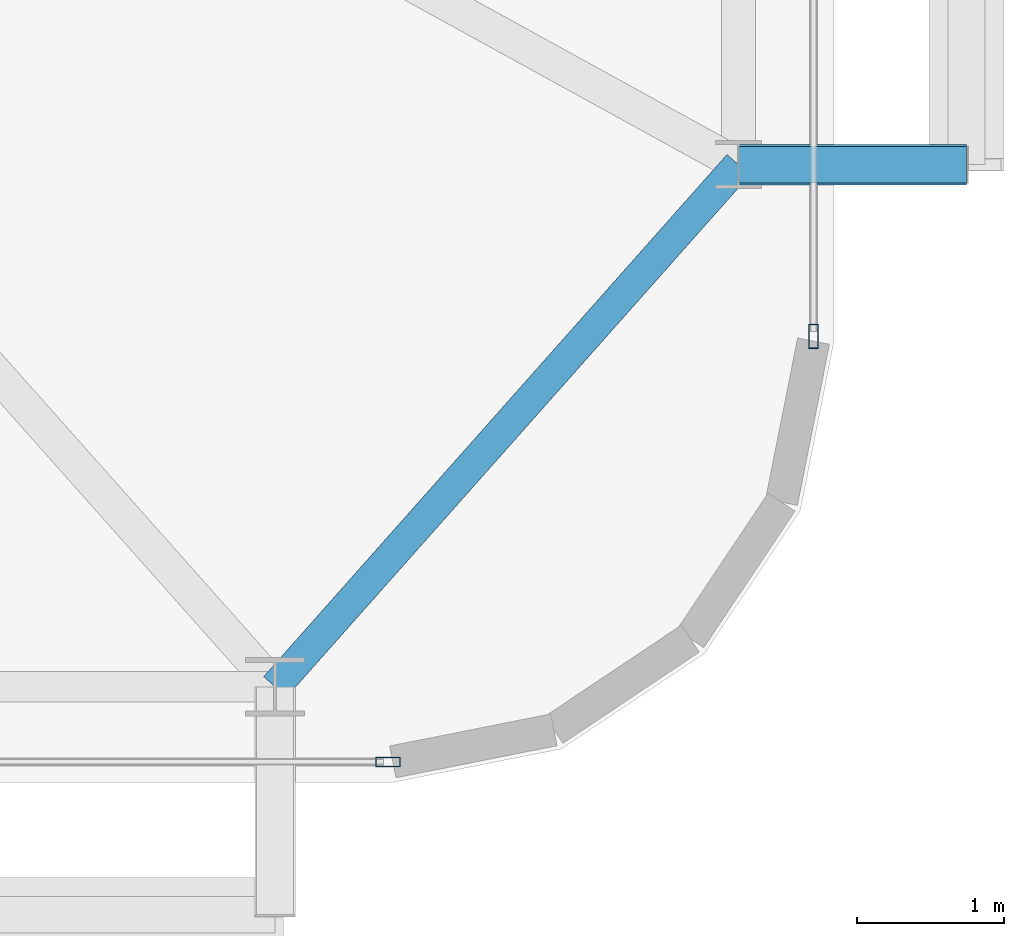
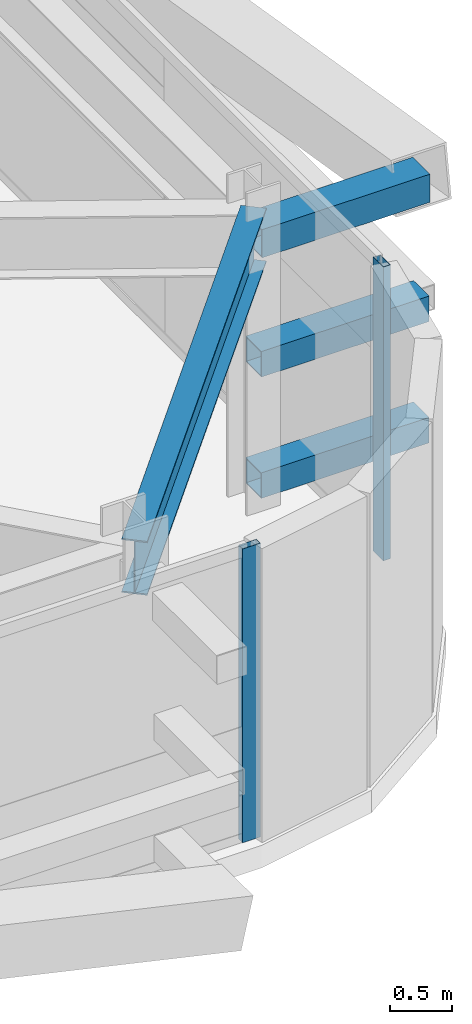
# One storey, part 15 of 45: 5 members, 1 beam, 2 elements without a shape of their own.
"""IFC4 building model written with IfcOpenShell, lengths in metres."""

from ifc_helpers import new_model, si_unit, direction, frame, origin, origin_2d, place, context, subcontext, project, spatial, hollow_rectangle, i_section, extrude, source, transform, mapped, material, layer, layer_set, material_profile, profile_set, type_object, element, aggregate, save


model = new_model("IFC4")

# Units and contexts
model_context = context("Model", 3, precision=1e-05, world=origin(), true_north=direction((0.0, 1.0)))
body_context = subcontext(model_context, "Body", "Model", "MODEL_VIEW")
ifc_project = project(units=[si_unit("LENGTHUNIT", "METRE"), si_unit("AREAUNIT", "SQUARE_METRE"), si_unit("VOLUMEUNIT", "CUBIC_METRE"), si_unit("PLANEANGLEUNIT", "RADIAN"), si_unit("MASSUNIT", "GRAM", prefix="KILO")], contexts=[model_context])

# Site, building, storey
site_placement = place(None, origin())
site = spatial("IfcSite", under=ifc_project, at=site_placement, CompositionType="ELEMENT")
building_placement = place(site_placement, origin())
building = spatial("IfcBuilding", under=site, at=building_placement, Name="Taldren Reach Tower", CompositionType="ELEMENT")
storey_placement = place(building_placement, frame((0.0, 0.0, 57.75)))
storey = spatial("IfcBuildingStorey", under=building, at=storey_placement, Name="L17", CompositionType="ELEMENT", Elevation=57.75)

# Beam
ifc_material_1 = material(Name="Steel Gr 350 (350PLUS)", Category="steel")
ifc_material_profile_1 = material_profile(ifc_material_1, i_section(OverallWidth=0.208984375, OverallDepth=0.528076171875, WebThickness=0.009521484375, FlangeThickness=0.01318359375, at=origin_2d()), Name="530UB82.0")
ifc_profile_set_1 = profile_set([ifc_material_profile_1], Name="Steel Gr 350 (350PLUS)")
beam_type = type_object("IfcBeamType", Name="SP-UB530B", PredefinedType="SPANDREL", material=ifc_profile_set_1)
shared_shape_1 = source(origin(), body_context, "Body", "SweptSolid", [
    extrude(i_section(OverallWidth=0.208984375, OverallDepth=0.528076171875, WebThickness=0.009521484375, FlangeThickness=0.01318359375, at=origin_2d()), origin(), (0.0, 0.0, 1.0), 4.74609375),
])
beam_placement = place(storey_placement, frame((61.199951171875, 2.14990234375, 2.60595703125), z_axis=(0.663721843779, 0.747979487747, 0.0), x_axis=(-0.747979487747, 0.663721843779, 0.0)))
element("IfcBeam", 1, at=beam_placement, inside=storey, type_object=beam_type, Name="Perimeter spandrel B1 S6-E1 L17", PredefinedType="SPANDREL", context=body_context, shape_type="MappedRepresentation", body=[
    mapped(shared_shape_1, transform((0.0, 0.0, 0.0), scale=1.0)),
])

# Members
ifc_material_2 = material(Name="Steel Gr 450 (C450L0)", Category="steel")
ifc_material_profile_2 = material_profile(ifc_material_2, hollow_rectangle(XDim=0.27490234375, YDim=0.27490234375, WallThickness=0.00927734375, at=origin_2d()), Name="275x275x9.3SHS")
ifc_profile_set_2 = profile_set([ifc_material_profile_2], Name="Steel Gr 450 (C450L0)")
member_type_1 = type_object("IfcMemberType", Name="MB-TIE273", PredefinedType="STRUT", material=ifc_profile_set_2)
shared_shape_2 = source(origin(), body_context, "Body", "SweptSolid", [
    extrude(hollow_rectangle(XDim=0.27490234375, YDim=0.27490234375, WallThickness=0.00927734375, at=origin_2d()), origin(), (0.0, 0.0, 1.0), 1.5498046875),
])
member_1_placement = place(storey_placement, frame((64.35009765625, 5.699951171875, 2.590087890625), z_axis=(1.0, 0.0, 0.0), x_axis=(0.0, 1.0, 0.0)))
element("IfcMember", 2, at=member_1_placement, inside=storey, type_object=member_type_1, Name="Exoskeleton diaphragm tie strut B1-E1 L17", PredefinedType="STRUT", context=body_context, shape_type="MappedRepresentation", body=[
    mapped(shared_shape_2, transform((0.0, 0.0, 0.0), scale=1.0)),
])
ifc_material_3 = material(Name="Steel Gr 350 (C350L0)", Category="steel")
ifc_material_profile_3 = material_profile(ifc_material_3, hollow_rectangle(XDim=0.25, YDim=0.25, WallThickness=0.010009765625, at=origin_2d()), Name="250x250x10.0SHS")
ifc_profile_set_3 = profile_set([ifc_material_profile_3], Name="Steel Gr 350 (C350L0)")
member_type_2 = type_object("IfcMemberType", Name="MB-POST250", PredefinedType="POST", material=ifc_profile_set_3)
shared_shape_3 = source(origin(), body_context, "Body", "SweptSolid", [
    extrude(hollow_rectangle(XDim=0.25, YDim=0.25, WallThickness=0.010009765625, at=origin_2d()), origin(), (0.0, 0.0, 1.0), 1.5498046875),
])
for number, where, z_axis, x_axis, name in (
    (3, (64.35009765625, 5.699951171875, 0.219970703125), (1.0, 0.0, 0.0), (0.0, 1.0, 0.0), "Exoskeleton base diaphragm tie strut B1-E1 L17"),
    (4, (64.35009765625, 5.699951171875, 1.405029296875), (1.0, 0.0, 0.0), (0.0, 1.0, 0.0), "Exoskeleton mid-tier diaphragm tie B1-E1 L17"),
):
    element("IfcMember", number, at=place(storey_placement, frame(where, z_axis=z_axis, x_axis=x_axis)), inside=storey, type_object=member_type_2, Name=name, PredefinedType="POST", context=body_context, shape_type="MappedRepresentation", body=[
        mapped(shared_shape_3, transform((0.0, 0.0, 0.0), scale=1.0)),
    ])

# Curtain wall, member
ifc_material_4 = material(Name="Aluminium and Low-E Glass Unitised System", Category="aluminium")
ifc_layer = layer(ifc_material_4, 0.159912109375)
ifc_layer_set = layer_set([ifc_layer], Name="Aluminium and Low-E Glass Unitised System")
curtain_wall_type = type_object("IfcCurtainWallType", Name="CW-SYS-2", PredefinedType="NOTDEFINED", material=ifc_layer_set)
curtain_wall_1_placement = place(storey_placement, origin())
curtain_wall_1 = element("IfcCurtainWall", 5, at=curtain_wall_1_placement, inside=storey, type_object=curtain_wall_type, Name="Unitised curtain wall CW-L17-S", PredefinedType="NOTDEFINED")
ifc_material_5 = material(Name="Anodised Aluminium 6063-T6", Category="aluminium")
ifc_material_profile_4 = material_profile(ifc_material_5, hollow_rectangle(XDim=0.06494140625, YDim=0.1650390625, WallThickness=0.00390625, at=origin_2d()), Name="ALU-165x65x4RHS")
ifc_profile_set_4 = profile_set([ifc_material_profile_4], Name="Anodised Aluminium 6063-T6")
member_type_3 = type_object("IfcMemberType", Name="CW-MUL-165", PredefinedType="MULLION", material=ifc_profile_set_4)
shared_shape_4 = source(origin(), body_context, "Body", "SweptSolid", [
    extrude(hollow_rectangle(XDim=0.06494140625, YDim=0.1650390625, WallThickness=0.00390625, at=origin_2d()), origin(), (0.0, 0.0, 1.0), 2.8701171875),
])
member_2_placement = place(storey_placement, frame((61.967529296875, 1.639892578125, 0.0), z_axis=(0.0, 0.0, 1.0), x_axis=(0.0, 1.0, 0.0)))
member_2 = element("IfcMember", 6, at=member_2_placement, type_object=member_type_3, Name="CW-2 mullion 6", PredefinedType="MULLION", context=body_context, shape_type="MappedRepresentation", body=[
    mapped(shared_shape_4, transform((0.0, 0.0, 0.0), scale=1.0)),
])
aggregate(curtain_wall_1, [member_2])

curtain_wall_2_placement = place(storey_placement, origin())
curtain_wall_2 = element("IfcCurtainWall", 7, at=curtain_wall_2_placement, inside=storey, type_object=curtain_wall_type, Name="Unitised curtain wall CW-L17-E", PredefinedType="NOTDEFINED")
member_3_placement = place(storey_placement, frame((64.860107421875, 4.532470703125, 0.0), z_axis=(0.0, 0.0, 1.0), x_axis=(-1.0, 0.0, 0.0)))
member_3 = element("IfcMember", 8, at=member_3_placement, type_object=member_type_3, Name="CW-2 mullion 1", PredefinedType="MULLION", context=body_context, shape_type="MappedRepresentation", body=[
    mapped(shared_shape_4, transform((0.0, 0.0, 0.0), scale=1.0)),
])
aggregate(curtain_wall_2, [member_3])

save(model, "model.ifc")
